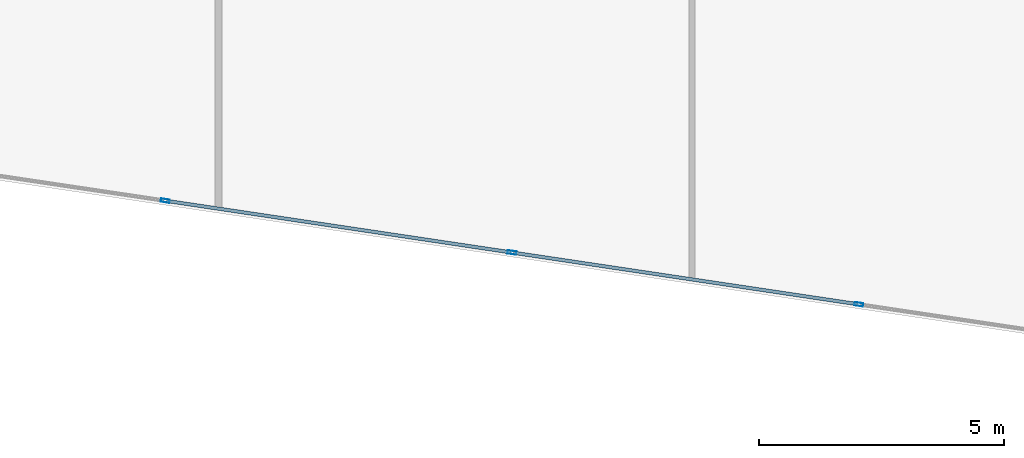
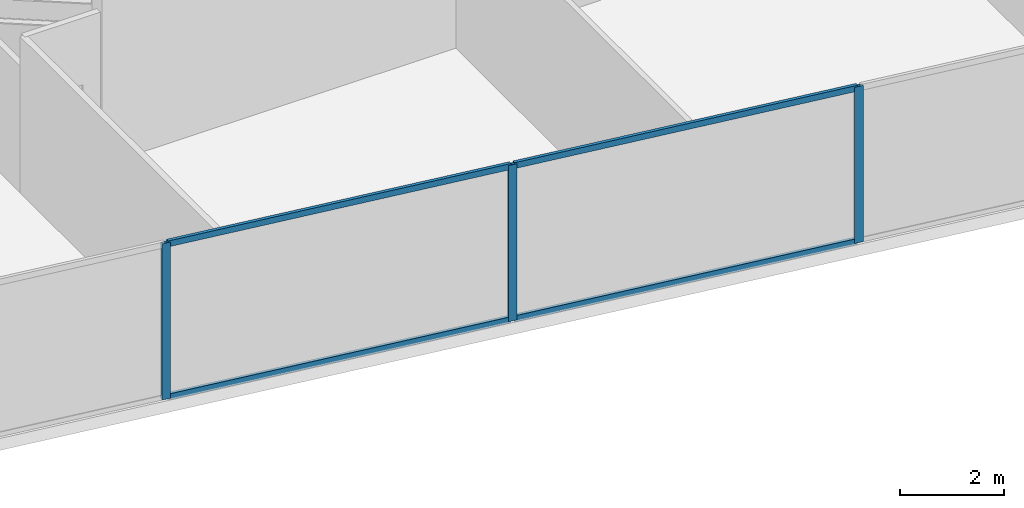
# One storey, part 4 of 29: 7 members, 1 element without a shape of its own.
"""IFC4 building model written with IfcOpenShell, lengths in metres."""

from ifc_helpers import new_model, si_unit, direction, frame, origin, origin_2d, place, context, subcontext, project, spatial, hollow_rectangle, extrude, source, transform, mapped, material, material_profile, profile_set, type_object, type_shapes, element, aggregate, save


model = new_model("IFC4")

# Units and contexts
model_context = context("Model", 3, precision=1e-05, world=origin(), true_north=direction((0.0, 1.0)))
body_context = subcontext(model_context, "Body", "Model", "MODEL_VIEW")
ifc_project = project(units=[si_unit("LENGTHUNIT", "METRE"), si_unit("AREAUNIT", "SQUARE_METRE"), si_unit("VOLUMEUNIT", "CUBIC_METRE"), si_unit("PLANEANGLEUNIT", "RADIAN"), si_unit("MASSUNIT", "GRAM", prefix="KILO")], contexts=[model_context])

# Site, building, storey
site_placement = place(None, origin())
site = spatial("IfcSite", under=ifc_project, at=site_placement, CompositionType="ELEMENT")
building_placement = place(site_placement, origin())
building = spatial("IfcBuilding", under=site, at=building_placement, Name="Krantzveldt Concourse Tower", CompositionType="ELEMENT")
storey_placement = place(building_placement, frame((0.0, 0.0, 68.449951171875)))
storey = spatial("IfcBuildingStorey", under=building, at=storey_placement, Name="L16", CompositionType="ELEMENT", Elevation=68.449951171875)

# Curtain wall, members
ifc_material = material(Name="Anodised aluminium 6063-T6", Category="aluminium")
curtain_wall_type = type_object("IfcCurtainWallType", Name="CW2", PredefinedType="USERDEFINED", material=ifc_material)
curtain_wall_placement = place(storey_placement, origin())
curtain_wall = element("IfcCurtainWall", 1, at=curtain_wall_placement, inside=storey, type_object=curtain_wall_type, Name="CW-L16-F04", ObjectType="UNITISED CURTAIN WALL", PredefinedType="USERDEFINED")
ifc_material_profile_1 = material_profile(ifc_material, hollow_rectangle(XDim=0.070068359375, YDim=0.139892578125, WallThickness=0.0048828125, at=origin_2d()), Name="Anodised aluminium 6063-T6", Category="aluminium")
ifc_profile_set_1 = profile_set([ifc_material_profile_1], Name="Anodised aluminium 6063-T6 - ALU-TRAN 140x70x5")
member_type_1 = type_object("IfcMemberType", Name="CW-TRN-150", PredefinedType="USERDEFINED", material=ifc_profile_set_1)
shared_shape_1 = source(origin(), body_context, "Body", "SweptSolid", [
    extrude(hollow_rectangle(XDim=0.070068359375, YDim=0.139892578125, WallThickness=0.0048828125, at=origin_2d()), origin(), (0.0, 0.0, 1.0), 7.0966796875),
])
member_1_placement = place(storey_placement, frame((25.2646484375, 3.11767578125, 0.03515625), z_axis=(0.989018713841, -0.14779033687, 0.0), x_axis=(0.14779033687, 0.989018713841, 0.0)))
member_1 = element("IfcMember", 2, at=member_1_placement, type_object=member_type_1, Name="CW-Z12 transom 3.1", ObjectType="TRANSOM", PredefinedType="USERDEFINED", context=body_context, shape_type="MappedRepresentation", body=[
    mapped(shared_shape_1, transform((0.0, 0.0, 0.0), x_axis=(1.0, 0.0, 0.0), y_axis=(0.0, 1.0, 0.0), z_axis=(0.0, 0.0, 1.0), scale=1.0)),
])
member_2_placement = place(storey_placement, frame((25.2646484375, 3.11767578125, 3.635009765625), z_axis=(0.989018713841, -0.14779033687, 0.0), x_axis=(0.14779033687, 0.989018713841, 0.0)))
member_2 = element("IfcMember", 3, at=member_2_placement, type_object=member_type_1, Name="CW-Z12 transom 3.2", ObjectType="TRANSOM", PredefinedType="USERDEFINED", context=body_context, shape_type="MappedRepresentation", body=[
    mapped(shared_shape_1, transform((0.0, 0.0, 0.0), x_axis=(1.0, 0.0, 0.0), y_axis=(0.0, 1.0, 0.0), z_axis=(0.0, 0.0, 1.0), scale=1.0)),
])
ifc_material_profile_2 = material_profile(ifc_material, hollow_rectangle(XDim=0.070068359375, YDim=0.179931640625, WallThickness=0.0048828125, at=origin_2d()), Name="Anodised aluminium 6063-T6", Category="aluminium")
ifc_profile_set_2 = profile_set([ifc_material_profile_2], Name="Anodised aluminium 6063-T6 - ALU-MULL 180x70x5")
member_type_2 = type_object("IfcMemberType", Name="CW-MUL-180", PredefinedType="MULLION", material=ifc_profile_set_2)
shared_shape_2 = source(origin(), body_context, "Body", "SweptSolid", [
    extrude(hollow_rectangle(XDim=0.070068359375, YDim=0.179931640625, WallThickness=0.0048828125, at=origin_2d()), origin(), (0.0, 0.0, 1.0), 3.670166015625),
])
type_shapes(member_type_2, [shared_shape_2])
member_3_placement = place(storey_placement, frame((25.230224609375, 3.122802734375, 0.0), z_axis=(0.0, 0.0, 1.0), x_axis=(0.147809505412, 0.989015849271, 0.0)))
member_3 = element("IfcMember", 4, at=member_3_placement, type_object=member_type_2, Name="CW-Z12 mullion 3", PredefinedType="MULLION", context=body_context, shape_type="MappedRepresentation", body=[
    mapped(shared_shape_2, transform((0.0, 0.0, 0.0), x_axis=(1.0, 0.0, 0.0), y_axis=(0.0, 1.0, 0.0), z_axis=(0.0, 0.0, 1.0), scale=1.0)),
])
member_4_placement = place(storey_placement, frame((32.318115234375, 2.063720703125, 0.0), z_axis=(0.0, 0.0, 1.0), x_axis=(0.147809505412, 0.989015849271, 0.0)))
member_4 = element("IfcMember", 5, at=member_4_placement, type_object=member_type_2, Name="CW-Z12 mullion 4", PredefinedType="MULLION", context=body_context, shape_type="MappedRepresentation", body=[
    mapped(shared_shape_2, transform((0.0, 0.0, 0.0), x_axis=(1.0, 0.0, 0.0), y_axis=(0.0, 1.0, 0.0), z_axis=(0.0, 0.0, 1.0), scale=1.0)),
])
member_5_placement = place(storey_placement, frame((39.406005859375, 1.00439453125, 0.0), z_axis=(0.0, 0.0, 1.0), x_axis=(0.147809505412, 0.989015849271, 0.0)))
member_5 = element("IfcMember", 6, at=member_5_placement, type_object=member_type_2, Name="CW-Z12 mullion 5", PredefinedType="MULLION", context=body_context, shape_type="MappedRepresentation", body=[
    mapped(shared_shape_2, transform((0.0, 0.0, 0.0), x_axis=(1.0, 0.0, 0.0), y_axis=(0.0, 1.0, 0.0), z_axis=(0.0, 0.0, 1.0), scale=1.0)),
])
shared_shape_3 = source(origin(), body_context, "Body", "SweptSolid", [
    extrude(hollow_rectangle(XDim=0.070068359375, YDim=0.139892578125, WallThickness=0.0048828125, at=origin_2d()), origin(), (0.0, 0.0, 1.0), 7.096435546875),
])
type_shapes(member_type_1, [shared_shape_1, shared_shape_3])
member_6_placement = place(storey_placement, frame((32.352783203125, 2.058349609375, 0.03515625), z_axis=(0.989017962398, -0.147795365468, 0.0), x_axis=(0.147795365468, 0.989017962398, 0.0)))
member_6 = element("IfcMember", 7, at=member_6_placement, type_object=member_type_1, Name="CW-Z12 transom 4.1", ObjectType="TRANSOM", PredefinedType="USERDEFINED", context=body_context, shape_type="MappedRepresentation", body=[
    mapped(shared_shape_3, transform((0.0, 0.0, 0.0), x_axis=(1.0, 0.0, 0.0), y_axis=(0.0, 1.0, 0.0), z_axis=(0.0, 0.0, 1.0), scale=1.0)),
])
member_7_placement = place(storey_placement, frame((32.352783203125, 2.058349609375, 3.635009765625), z_axis=(0.989017962398, -0.147795365468, 0.0), x_axis=(0.147795365468, 0.989017962398, 0.0)))
member_7 = element("IfcMember", 8, at=member_7_placement, type_object=member_type_1, Name="CW-Z12 transom 4.2", ObjectType="TRANSOM", PredefinedType="USERDEFINED", context=body_context, shape_type="MappedRepresentation", body=[
    mapped(shared_shape_3, transform((0.0, 0.0, 0.0), x_axis=(1.0, 0.0, 0.0), y_axis=(0.0, 1.0, 0.0), z_axis=(0.0, 0.0, 1.0), scale=1.0)),
])
aggregate(curtain_wall, [member_3, member_4, member_5, member_1, member_2, member_6, member_7])

save(model, "model.ifc")
